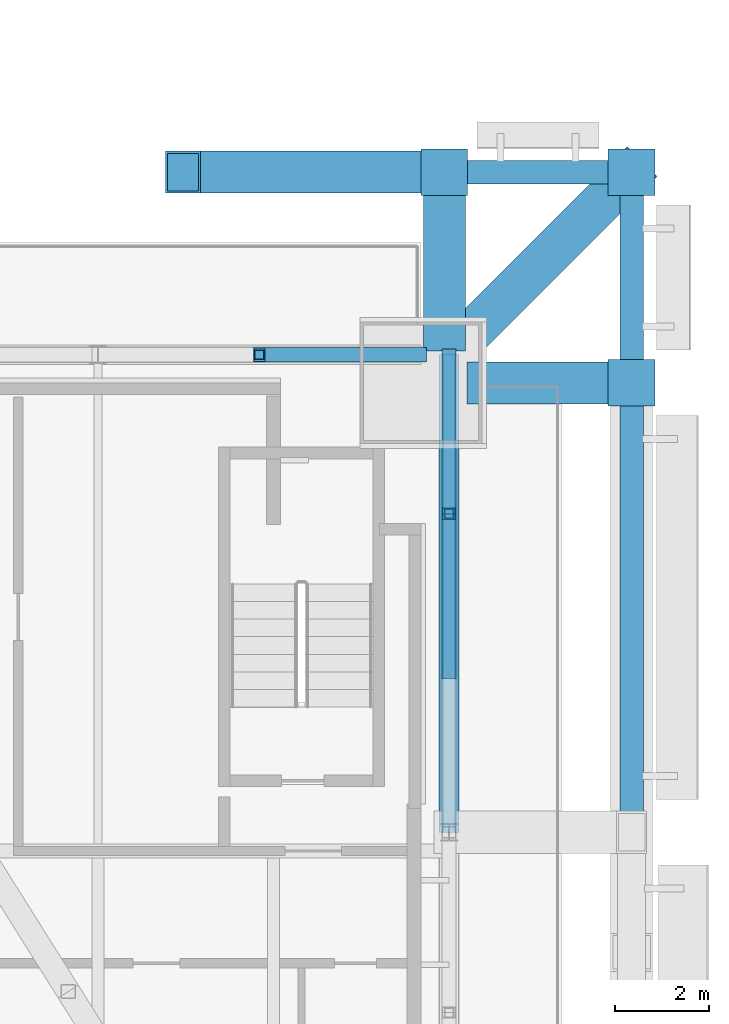
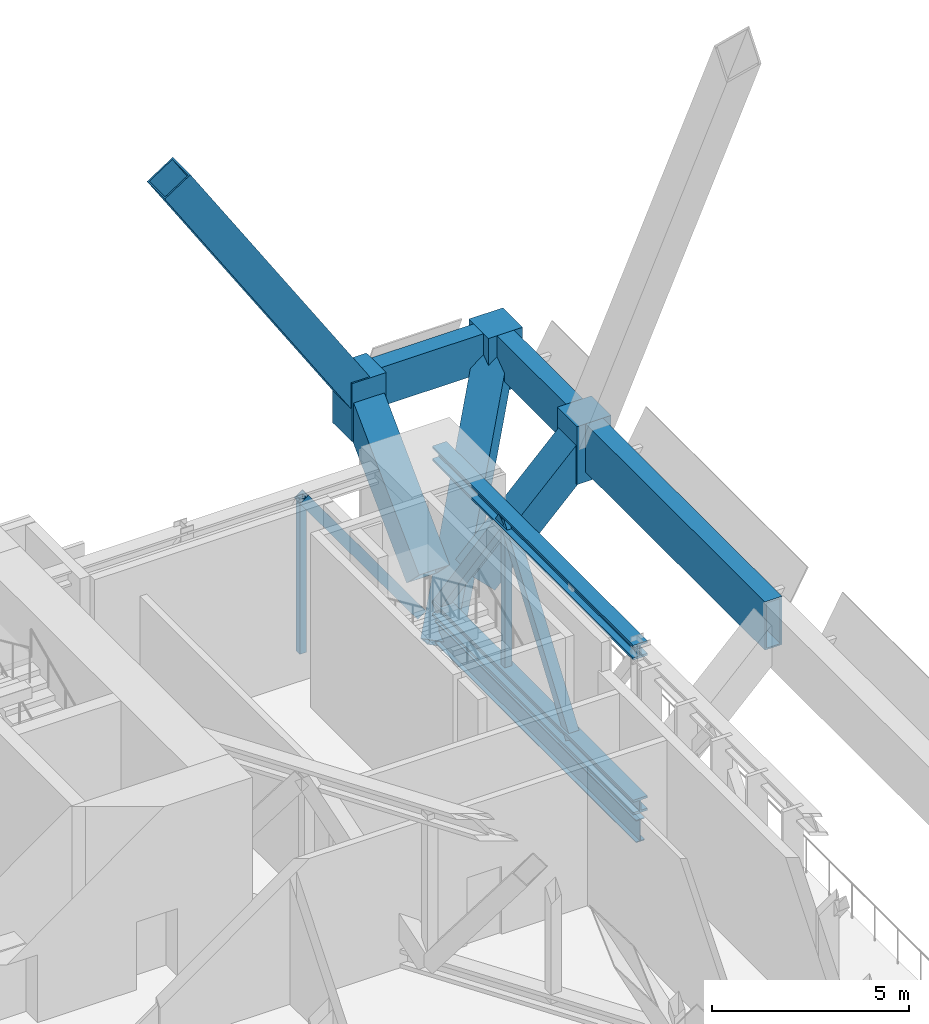
# One storey, part 18 of 31: 14 members, 4 beams.
"""IFC4 building model written with IfcOpenShell, lengths in metres."""

from ifc_helpers import new_model, si_unit, direction, frame, origin, origin_2d, place, context, subcontext, project, spatial, rectangle, hollow_rectangle, i_section, extrude, material, material_profile, profile_set, type_object, element, save


model = new_model("IFC4")

# Units and contexts
model_context = context("Model", 3, precision=1e-05, world=origin(), true_north=direction((0.0, 1.0)))
body_context = subcontext(model_context, "Body", "Model", "MODEL_VIEW")
ifc_project = project(units=[si_unit("LENGTHUNIT", "METRE"), si_unit("AREAUNIT", "SQUARE_METRE"), si_unit("VOLUMEUNIT", "CUBIC_METRE"), si_unit("PLANEANGLEUNIT", "RADIAN"), si_unit("MASSUNIT", "GRAM", prefix="KILO")], contexts=[model_context])

# Site, building, storey
site_placement = place(None, origin())
site = spatial("IfcSite", under=ifc_project, at=site_placement, CompositionType="ELEMENT")
building_placement = place(site_placement, origin())
building = spatial("IfcBuilding", under=site, at=building_placement, Name="Bicima Exchange Tower", CompositionType="ELEMENT")
storey_placement = place(building_placement, frame((0.0, 0.0, 236.0)))
storey = spatial("IfcBuildingStorey", under=building, at=storey_placement, Name="L53", CompositionType="ELEMENT", Elevation=236.0)

# Beams
ifc_material_1 = material(Name="Steel ASTM A572 Gr 50", Category="steel")
ifc_material_profile_1 = material_profile(ifc_material_1, hollow_rectangle(XDim=0.5, YDim=1.199951171875, WallThickness=0.0400390625, at=origin_2d()))
ifc_profile_set_1 = profile_set([ifc_material_profile_1], Name="Steel ASTM A572 Gr 50")
beam_type_1 = type_object("IfcBeamType", Name="Belt girder BOX 500x1200x40", PredefinedType="BEAM", material=ifc_profile_set_1)
beam_1_placement = place(storey_placement, frame((37.5, -3.0, 4.64990234375), z_axis=(0.0, 1.0, 0.0), x_axis=(-1.0, 0.0, 0.0)))
element("IfcBeam", 1, at=beam_1_placement, inside=storey, type_object=beam_type_1, Name="Belt girder", PredefinedType="BEAM", context=body_context, shape_type="SweptSolid", body=[
    extrude(hollow_rectangle(XDim=0.5, YDim=1.199951171875, WallThickness=0.0400390625, at=origin_2d()), origin(), (0.0, 0.0, 1.0), 4.5),
])
beam_2_placement = place(storey_placement, frame((37.5, 1.5, 4.64990234375), z_axis=(-1.0, 0.0, 0.0), x_axis=(0.0, -1.0, 0.0)))
element("IfcBeam", 2, at=beam_2_placement, inside=storey, type_object=beam_type_1, Name="Belt girder", PredefinedType="BEAM", context=body_context, shape_type="SweptSolid", body=[
    extrude(hollow_rectangle(XDim=0.5, YDim=1.199951171875, WallThickness=0.0400390625, at=origin_2d()), origin(), (0.0, 0.0, 1.0), 4.0),
])
ifc_material_profile_2 = material_profile(ifc_material_1, hollow_rectangle(XDim=0.5, YDim=1.5, WallThickness=0.050048828125, at=origin_2d()))
ifc_profile_set_2 = profile_set([ifc_material_profile_2], Name="Steel ASTM A572 Gr 50")
beam_type_2 = type_object("IfcBeamType", Name="Belt girder BOX 500x1500x50", PredefinedType="BEAM", material=ifc_profile_set_2)
beam_3_placement = place(storey_placement, frame((37.5, -12.60009765625, 4.5), z_axis=(0.0, 1.0, 0.0), x_axis=(-1.0, 0.0, 0.0)))
element("IfcBeam", 3, at=beam_3_placement, inside=storey, type_object=beam_type_2, Name="Belt girder", PredefinedType="BEAM", context=body_context, shape_type="SweptSolid", body=[
    extrude(hollow_rectangle(XDim=0.5, YDim=1.5, WallThickness=0.050048828125, at=origin_2d()), origin(), (0.0, 0.0, 1.0), 9.60009765625),
])

# Members
ifc_material_2 = material(Name="Steel ASTM A992 Gr 50", Category="steel")
ifc_material_profile_3 = material_profile(ifc_material_2, i_section(OverallWidth=0.419189453125, OverallDepth=0.45458984375, WebThickness=0.042236328125, FlangeThickness=0.067626953125, at=origin_2d()))
ifc_profile_set_3 = profile_set([ifc_material_profile_3], Name="Steel ASTM A992 Gr 50")
member_type_1 = type_object("IfcMemberType", Name="Belt truss chord W14x370", PredefinedType="CHORD", material=ifc_profile_set_3)
for number, where, z_axis, x_axis, name in (
    (4, (33.60009765625, -2.39990234375, 5.022705078125), (0.0, -1.0, 0.0), (1.0, 0.0, 0.0), "Top chord"),
    (5, (33.60009765625, -2.39990234375, 0.227294921875), (0.0, -1.0, 0.0), (1.0, 0.0, 0.0), "Bottom chord"),
):
    element("IfcMember", number, at=place(storey_placement, frame(where, z_axis=z_axis, x_axis=x_axis)), inside=storey, type_object=member_type_1, Name=name, PredefinedType="CHORD", context=body_context, shape_type="SweptSolid", body=[
        extrude(i_section(OverallWidth=0.419189453125, OverallDepth=0.45458984375, WebThickness=0.042236328125, FlangeThickness=0.067626953125, at=origin_2d()), origin(), (0.0, 0.0, 1.0), 10.2001953125),
    ])
ifc_material_profile_4 = material_profile(ifc_material_1, hollow_rectangle(XDim=0.3046875, YDim=0.3046875, WallThickness=0.01171875, at=origin_2d()))
ifc_profile_set_4 = profile_set([ifc_material_profile_4], Name="Steel ASTM A572 Gr 50")
member_type_2 = type_object("IfcMemberType", Name="Belt truss diagonal HSS12x12x1/2", PredefinedType="STRUT", material=ifc_profile_set_4)
member_1_placement = place(storey_placement, frame((29.550048828125, -2.39990234375, 5.022705078125), z_axis=(0.583998756388, 0.0, -0.811754551905), x_axis=(0.0, 1.0, 0.0)))
element("IfcMember", 6, at=member_1_placement, inside=storey, type_object=member_type_2, Name="Truss diagonal", PredefinedType="STRUT", context=body_context, shape_type="SweptSolid", body=[
    extrude(hollow_rectangle(XDim=0.3046875, YDim=0.3046875, WallThickness=0.01171875, at=origin_2d()), origin(), (0.0, 0.0, 1.0), 5.907470703125),
])
for number, where, z_axis, x_axis, name in (
    (7, (33.60009765625, -2.39990234375, 0.227294921875), (0.0, -0.578402146369, 0.815751774179), (1.0, 0.0, 0.0), "Truss diagonal"),
    (8, (33.60009765625, -5.800048828125, 5.022705078125), (0.0, -0.578374508534, -0.815771369857), (1.0, 0.0, 0.0), "Truss diagonal"),
):
    element("IfcMember", number, at=place(storey_placement, frame(where, z_axis=z_axis, x_axis=x_axis)), inside=storey, type_object=member_type_2, Name=name, PredefinedType="STRUT", context=body_context, shape_type="SweptSolid", body=[
        extrude(hollow_rectangle(XDim=0.3046875, YDim=0.3046875, WallThickness=0.01171875, at=origin_2d()), origin(), (0.0, 0.0, 1.0), 5.87841796875),
    ])
ifc_material_profile_5 = material_profile(ifc_material_1, hollow_rectangle(XDim=0.203125, YDim=0.203125, WallThickness=0.01171875, at=origin_2d()))
ifc_profile_set_5 = profile_set([ifc_material_profile_5], Name="Steel ASTM A572 Gr 50")
member_type_3 = type_object("IfcMemberType", Name="Belt truss post HSS8x8x1/2", PredefinedType="POST", material=ifc_profile_set_5)
for number, where, z_axis, x_axis, name in (
    (9, (29.550048828125, -2.39990234375, 0.227294921875), (0.0, 0.0, 1.0), (1.0, 0.0, 0.0), "Truss post"),
    (10, (33.60009765625, -5.800048828125, 0.227294921875), (0.0, 0.0, 1.0), (1.0, 0.0, 0.0), "Truss post"),
):
    element("IfcMember", number, at=place(storey_placement, frame(where, z_axis=z_axis, x_axis=x_axis)), inside=storey, type_object=member_type_3, Name=name, PredefinedType="POST", context=body_context, shape_type="SweptSolid", body=[
        extrude(hollow_rectangle(XDim=0.203125, YDim=0.203125, WallThickness=0.01171875, at=origin_2d()), origin(), (0.0, 0.0, 1.0), 4.79541015625),
    ])

# Beam
ifc_material_profile_6 = material_profile(ifc_material_2, i_section(OverallWidth=0.256591796875, OverallDepth=0.693359375, WebThickness=0.014404296875, FlangeThickness=0.023681640625, at=origin_2d()))
ifc_profile_set_6 = profile_set([ifc_material_profile_6], Name="Steel ASTM A992 Gr 50")
beam_type_3 = type_object("IfcBeamType", Name="End girder W27x114", PredefinedType="BEAM", material=ifc_profile_set_6)
beam_4_placement = place(storey_placement, frame((33.60009765625, -2.39990234375, -0.546630859375), z_axis=(0.0, -1.0, 0.0), x_axis=(1.0, 0.0, 0.0)))
element("IfcBeam", 11, at=beam_4_placement, inside=storey, type_object=beam_type_3, Name="End girder", PredefinedType="BEAM", context=body_context, shape_type="SweptSolid", body=[
    extrude(i_section(OverallWidth=0.256591796875, OverallDepth=0.693359375, WebThickness=0.014404296875, FlangeThickness=0.023681640625, at=origin_2d()), origin(), (0.0, 0.0, 1.0), 10.2001953125),
])

# Members
ifc_material_profile_7 = material_profile(ifc_material_1, hollow_rectangle(XDim=0.89990234375, YDim=0.89990234375, WallThickness=0.050048828125, at=origin_2d()))
ifc_profile_set_7 = profile_set([ifc_material_profile_7], Name="Steel ASTM A572 Gr 50")
member_type_4 = type_object("IfcMemberType", Name="Exo mega brace BOX 900x900x50", PredefinedType="BRACE", material=ifc_profile_set_7)
member_2_placement = place(storey_placement, frame((33.5, 1.5, 4.5), z_axis=(-0.544521263137, 0.0, 0.838747038142), x_axis=(0.0, -1.0, 0.0)))
element("IfcMember", 12, at=member_2_placement, inside=storey, type_object=member_type_4, Name="Exo mega brace rear", PredefinedType="BRACE", context=body_context, shape_type="SweptSolid", body=[
    extrude(hollow_rectangle(XDim=0.89990234375, YDim=0.89990234375, WallThickness=0.050048828125, at=origin_2d()), origin(), (0.0, 0.0, 1.0), 10.25341796875),
])
ifc_material_3 = material(Name="Cast steel ASTM A216 Gr WCB", Category="steel")
ifc_material_profile_8 = material_profile(ifc_material_3, rectangle(XDim=1.0, YDim=1.0, at=origin_2d()))
ifc_profile_set_8 = profile_set([ifc_material_profile_8], Name="Cast steel ASTM A216 Gr WCB")
member_type_5 = type_object("IfcMemberType", Name="Exo node block", PredefinedType="POST", material=ifc_profile_set_8)
for number, where, z_axis, x_axis, name in (
    (13, (37.5, -3.0, 3.449951171875), (0.0, 0.0, 1.0), (1.0, 0.0, 0.0), "Exo node block"),
    (14, (37.5, 1.5, 3.449951171875), (0.0, 0.0, 1.0), (1.0, 0.0, 0.0), "Exo node block"),
    (15, (33.5, 1.5, 3.449951171875), (0.0, 0.0, 1.0), (1.0, 0.0, 0.0), "Exo node block"),
):
    element("IfcMember", number, at=place(storey_placement, frame(where, z_axis=z_axis, x_axis=x_axis)), inside=storey, type_object=member_type_5, Name=name, PredefinedType="POST", context=body_context, shape_type="SweptSolid", body=[
        extrude(rectangle(XDim=1.0, YDim=1.0, at=origin_2d()), origin(), (0.0, 0.0, 1.0), 1.800048828125),
    ])
member_type_6 = type_object("IfcMemberType", Name="Exo outrigger stub BOX 900x900x50", PredefinedType="STRUT", material=ifc_profile_set_7)
member_3_placement = place(storey_placement, frame((34.300048828125, -3.0, 1.300048828125), z_axis=(0.707106781187, 0.0, 0.707106781187), x_axis=(0.0, 1.0, 0.0)))
element("IfcMember", 16, at=member_3_placement, inside=storey, type_object=member_type_6, Name="Exo outrigger stub", PredefinedType="STRUT", context=body_context, shape_type="SweptSolid", body=[
    extrude(hollow_rectangle(XDim=0.89990234375, YDim=0.89990234375, WallThickness=0.050048828125, at=origin_2d()), origin(), (0.0, 0.0, 1.0), 4.525390625),
])
member_4_placement = place(storey_placement, frame((33.70703125, -2.29296875, -1.06396484375), z_axis=(0.490771835187, 0.490771835187, 0.719920837019), x_axis=(-0.707106781187, 0.707106781187, 0.0)))
element("IfcMember", 17, at=member_4_placement, inside=storey, type_object=member_type_6, Name="Exo outrigger stub", PredefinedType="STRUT", context=body_context, shape_type="SweptSolid", body=[
    extrude(hollow_rectangle(XDim=0.89990234375, YDim=0.89990234375, WallThickness=0.050048828125, at=origin_2d()), origin(), (0.0, 0.0, 1.0), 7.728515625),
])
member_5_placement = place(storey_placement, frame((33.5, -2.0, 1.0), z_axis=(0.0, 0.707106781187, 0.707106781187), x_axis=(-1.0, 0.0, 0.0)))
element("IfcMember", 18, at=member_5_placement, inside=storey, type_object=member_type_6, Name="Exo outrigger stub", PredefinedType="STRUT", context=body_context, shape_type="SweptSolid", body=[
    extrude(hollow_rectangle(XDim=0.89990234375, YDim=0.89990234375, WallThickness=0.050048828125, at=origin_2d()), origin(), (0.0, 0.0, 1.0), 4.94970703125),
])

save(model, "model.ifc")
